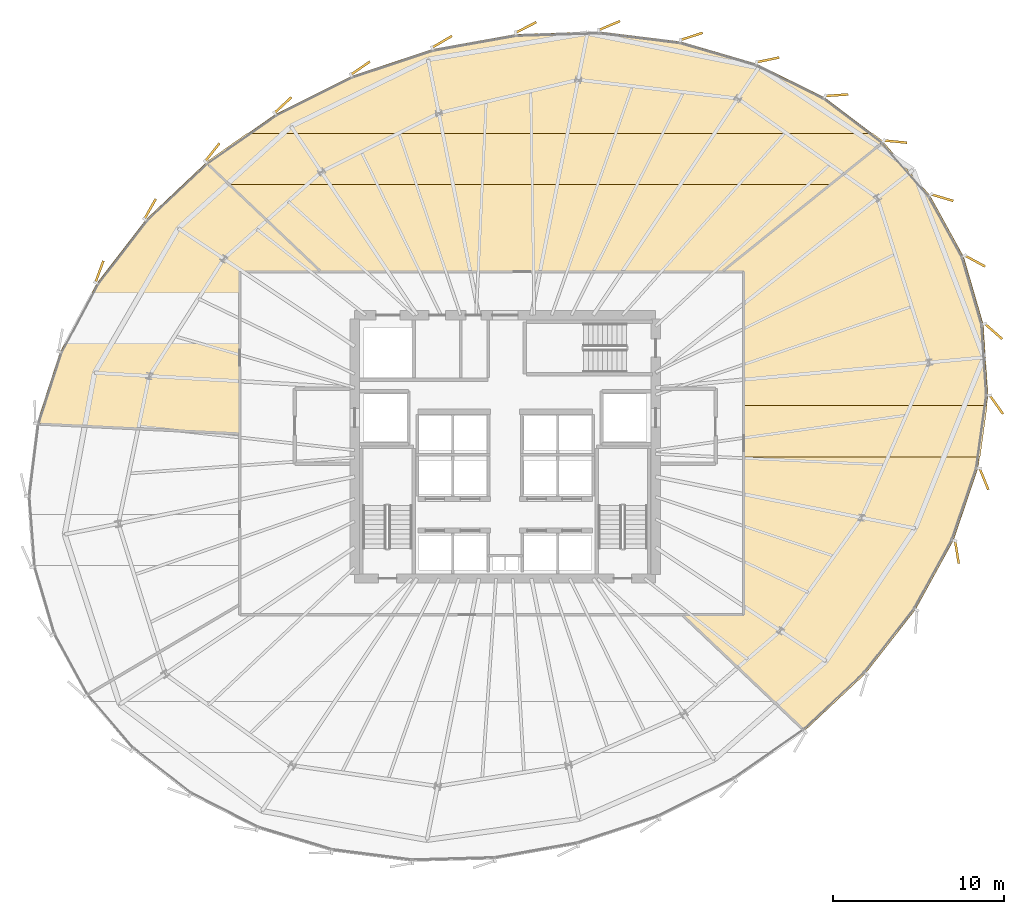
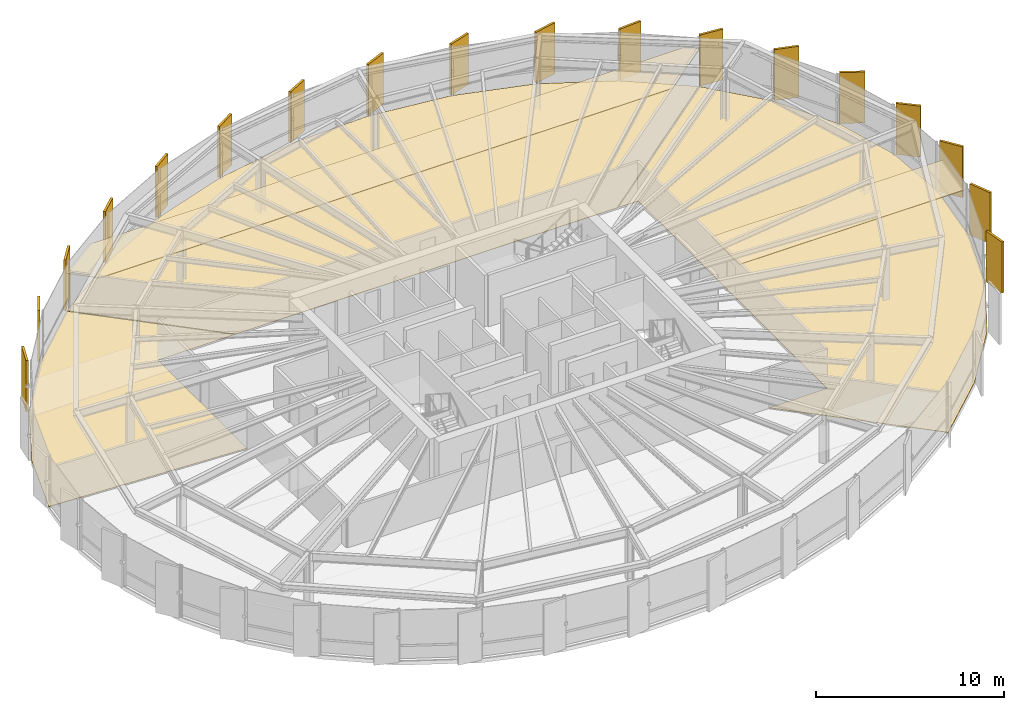
# One storey, part 34 of 34: 23 coverings.
"""IFC4 building model written with IfcOpenShell, lengths in metres."""

from ifc_helpers import new_model, si_unit, direction, frame, origin, origin_2d, place, context, subcontext, project, spatial, polyline, rectangle, outline, extrude, source, transform, mapped, material, layer, layer_set, type_object, element, save


model = new_model("IFC4")

# Units and contexts
model_context = context("Model", 3, precision=1e-05, world=origin(), true_north=direction((0.0, 1.0)))
body_context = subcontext(model_context, "Body", "Model", "MODEL_VIEW")
ifc_project = project(units=[si_unit("LENGTHUNIT", "METRE"), si_unit("AREAUNIT", "SQUARE_METRE"), si_unit("VOLUMEUNIT", "CUBIC_METRE"), si_unit("PLANEANGLEUNIT", "RADIAN"), si_unit("MASSUNIT", "GRAM", prefix="KILO"), si_unit("THERMODYNAMICTEMPERATUREUNIT", "KELVIN")], contexts=[model_context])

# Site, building, storey
site_placement = place(None, origin())
site = spatial("IfcSite", under=ifc_project, at=site_placement, CompositionType="ELEMENT")
building_placement = place(site_placement, origin())
building = spatial("IfcBuilding", under=site, at=building_placement, Name="Kethvar Cultural Tower", CompositionType="ELEMENT")
storey_placement = place(building_placement, frame((0.0, 0.0, 125.199951171875)))
storey = spatial("IfcBuildingStorey", under=building, at=storey_placement, Name="L31", CompositionType="ELEMENT", Elevation=125.199951171875)

# Coverings
ifc_material_1 = material(Name="Acoustic Mineral Fibre Ceiling")
ifc_layer_1 = layer(ifc_material_1, 0.0400390625, Name="Acoustic Mineral Fibre Ceiling")
ifc_layer_set_1 = layer_set([ifc_layer_1], Name="Acoustic Mineral Fibre Ceiling (40 mm)")
covering_type_1 = type_object("IfcCoveringType", Name="CV-ACOUSTIC-CEIL", PredefinedType="CEILING", material=ifc_layer_set_1)
covering_1_placement = place(storey_placement, frame((0.0, 0.0, 2.449951171875)))
element("IfcCovering", 1, at=covering_1_placement, inside=storey, type_object=covering_type_1, Name="L31 Room 02 Acoustic Ceiling Panel", PredefinedType="CEILING", context=body_context, shape_type="SweptSolid", body=[
    extrude(outline(polyline([(74.57080078125, 27.215087890625), (60.72998046875, 27.215087890625), (60.72998046875, 30.205078125), (74.983642578125, 30.205078125), (74.57080078125, 27.215087890625)])), origin(), (0.0, 0.0, 1.0), 0.0400390625),
])
covering_2_placement = place(storey_placement, frame((0.0, 0.0, 2.449951171875)))
element("IfcCovering", 2, at=covering_2_placement, inside=storey, type_object=covering_type_1, Name="L31 Room 03 Acoustic Ceiling Panel", PredefinedType="CEILING", context=body_context, shape_type="SweptSolid", body=[
    extrude(outline(polyline([(68.914794921875, 45.660888671875), (65.833984375, 43.141845703125), (30.6376953125, 43.141845703125), (29.291259765625, 44.43017578125), (31.715576171875, 46.1318359375), (68.292724609375, 46.1318359375), (68.914794921875, 45.660888671875)])), origin(), (0.0, 0.0, 1.0), 0.0400390625),
])
ifc_material_2 = material(Name="Architectural Oak Timber", Category="wood")
ifc_layer_2 = layer(ifc_material_2, 0.02490234375, Name="Architectural Oak Timber", Category="wood")
ifc_layer_set_2 = layer_set([ifc_layer_2], Name="Architectural Oak Timber (25 mm)")
covering_type_2 = type_object("IfcCoveringType", Name="CV-OAK-FLOOR", PredefinedType="FLOORING", material=ifc_layer_set_2)
covering_3_placement = place(storey_placement, origin())
element("IfcCovering", 3, at=covering_3_placement, inside=storey, type_object=covering_type_2, Name="L31 Room 02 Floor Finish", PredefinedType="FLOORING", context=body_context, shape_type="SweptSolid", body=[
    extrude(outline(polyline([(75.027099609375, 30.811279296875), (74.439453125, 26.557861328125), (73.01025390625, 22.341064453125), (70.791015625, 18.29248046875), (67.856689453125, 14.53857421875), (64.314208984375, 11.207275390625), (57.1982421875, 17.9599609375), (60.77001953125, 17.97802734375), (60.77001953125, 38.0419921875), (59.539794921875, 38.06005859375), (68.900146484375, 45.6171875), (71.63134765625, 42.49267578125), (73.60498046875, 38.903076171875), (74.747802734375, 34.96923828125), (75.027099609375, 30.811279296875)])), origin(), (0.0, 0.0, 1.0), 0.025146484375),
])
covering_4_placement = place(storey_placement, origin())
element("IfcCovering", 4, at=covering_4_placement, inside=storey, type_object=covering_type_2, Name="L31 Room 03 Floor Finish", PredefinedType="FLOORING", context=body_context, shape_type="SweptSolid", body=[
    extrude(outline(polyline([(33.370361328125, 47.23681640625), (37.824951171875, 49.4677734375), (42.556884765625, 51.0419921875), (47.43408203125, 51.916748046875), (52.31201171875, 52.066650390625), (57.04150390625, 51.487060546875), (61.473388671875, 50.193603515625), (65.4658203125, 48.222412109375), (68.8701171875, 45.644287109375), (59.47607421875, 38.06005859375), (36.03955078125, 38.06005859375), (29.3427734375, 44.42822265625), (33.370361328125, 47.23681640625)])), origin(), (0.0, 0.0, 1.0), 0.025146484375),
])
covering_5_placement = place(storey_placement, origin())
element("IfcCovering", 5, at=covering_5_placement, inside=storey, type_object=covering_type_2, Name="L31 Room 04 Floor Finish", PredefinedType="FLOORING", context=body_context, shape_type="SweptSolid", body=[
    extrude(outline(polyline([(20.779541015625, 33.337890625), (22.931396484375, 37.3583984375), (25.80859375, 41.088623046875), (29.311279296875, 44.403076171875), (35.9814453125, 38.06005859375), (31.2724609375, 38.04931640625), (31.27001953125, 28.587158203125), (19.42578125, 29.17236328125), (20.779541015625, 33.337890625)])), origin(), (0.0, 0.0, 1.0), 0.025146484375),
])
ifc_material_3 = material(Name="Extruded Architectural Terracotta", Category="masonry")
ifc_layer_3 = layer(ifc_material_3, 0.135009765625, Name="Extruded Architectural Terracotta", Category="masonry")
ifc_layer_set_3 = layer_set([ifc_layer_3], Name="Extruded Architectural Terracotta (135 mm)")
covering_type_3 = type_object("IfcCoveringType", Name="Terracotta Facade Fin FIN-02", PredefinedType="CLADDING", material=ifc_layer_set_3)
shared_shape = source(origin(), body_context, "Body", "SweptSolid", [
    extrude(rectangle(XDim=1.35009765625, YDim=0.135009765625, at=origin_2d()), origin(), (0.0, 0.0, 1.0), 3.31005859375),
])
for number, where, z_axis, x_axis, name in (
    (6, (74.2685546875, 38.662353515625, 0.02001953125), (0.0, 0.0, 1.0), (0.879565547385, -0.475777729464, 0.0), "L31 Vertical Terracotta Fin 1.1"),
    (7, (72.35595703125, 42.366943359375, 0.02001953125), (0.0, 0.0, 1.0), (0.959658203669, -0.2811692233, 0.0), "L31 Vertical Terracotta Fin 1.2"),
    (8, (69.622802734375, 45.64404296875, 0.02001953125), (0.0, 0.0, 1.0), (0.995396198367, -0.09584575252, 0.0), "L31 Vertical Terracotta Fin 1.3"),
    (9, (66.185302734375, 48.356689453125, 0.02001953125), (0.0, 0.0, 1.0), (0.997731519333, 0.067318759124, 0.0), "L31 Vertical Terracotta Fin 1.4"),
    (10, (62.164306640625, 50.425537109375, 0.02001953125), (0.0, 0.0, 1.0), (0.979364144219, 0.202103619508, 0.0), "L31 Vertical Terracotta Fin 1.5"),
    (11, (57.697265625, 51.79443359375, 0.02001953125), (0.0, 0.0, 1.0), (0.951218186839, 0.308518980011, 0.0), "L31 Vertical Terracotta Fin 1.6"),
    (12, (52.893310546875, 52.4287109375, 0.02001953125), (0.0, 0.0, 1.0), (0.920913521335, 0.389766963995, 0.0), "L31 Vertical Terracotta Fin 2.1"),
    (13, (48.019287109375, 52.32177734375, 0.02001953125), (0.0, 0.0, 1.0), (0.891006524188, 0.45399049974, 0.0), "L31 Vertical Terracotta Fin 2.2"),
    (14, (43.10791015625, 51.48046875, 0.02001953125), (0.0, 0.0, 1.0), (0.861185921638, 0.508290082898, 0.0), "L31 Vertical Terracotta Fin 2.3"),
    (15, (38.3369140625, 49.941162109375, 0.02001953125), (0.0, 0.0, 1.0), (0.823136368534, 0.567843745053, 0.0), "L31 Vertical Terracotta Fin 2.4"),
    (16, (33.808837890625, 47.779052734375, 0.02001953125), (0.0, 0.0, 1.0), (0.732661695834, 0.680593005737, 0.0), "L31 Vertical Terracotta Fin 2.5"),
    (17, (29.677001953125, 45.0166015625, 0.02001953125), (0.0, 0.0, 1.0), (0.623606756598, 0.781738199863, 0.0), "L31 Vertical Terracotta Fin 2.6"),
    (18, (26.040283203125, 41.706787109375, 0.02001953125), (0.0, 0.0, 1.0), (0.494548768138, 0.869149881167, 0.0), "L31 Vertical Terracotta Fin 3.1"),
    (19, (23.07666015625, 38.040771484375, 0.02001953125), (0.0, 0.0, 1.0), (0.344642923175, 0.938733857654, 0.0), "L31 Vertical Terracotta Fin 3.2"),
    (20, (73.21240234375, 21.640869140625, 0.02001953125), (0.0, 0.0, 1.0), (0.159708897478, -0.987164154569, 0.0), "L31 Vertical Terracotta Fin 6.3"),
    (21, (74.794189453125, 25.91748046875, 0.02001953125), (0.0, 0.0, 1.0), (0.378810148876, -0.92547440327, 0.0), "L31 Vertical Terracotta Fin 6.4"),
    (22, (75.518798828125, 30.266357421875, 0.02001953125), (0.0, 0.0, 1.0), (0.580418740413, -0.814318172325, 0.0), "L31 Vertical Terracotta Fin 6.5"),
    (23, (75.3515625, 34.549560546875, 0.02001953125), (0.0, 0.0, 1.0), (0.751379314082, -0.659870537582, 0.0), "L31 Vertical Terracotta Fin 6.6"),
):
    element("IfcCovering", number, at=place(storey_placement, frame(where, z_axis=z_axis, x_axis=x_axis)), inside=storey, type_object=covering_type_3, Name=name, PredefinedType="CLADDING", context=body_context, shape_type="MappedRepresentation", body=[
        mapped(shared_shape, transform((0.0, 0.0, 0.0), scale=1.0)),
    ])

save(model, "model.ifc")
